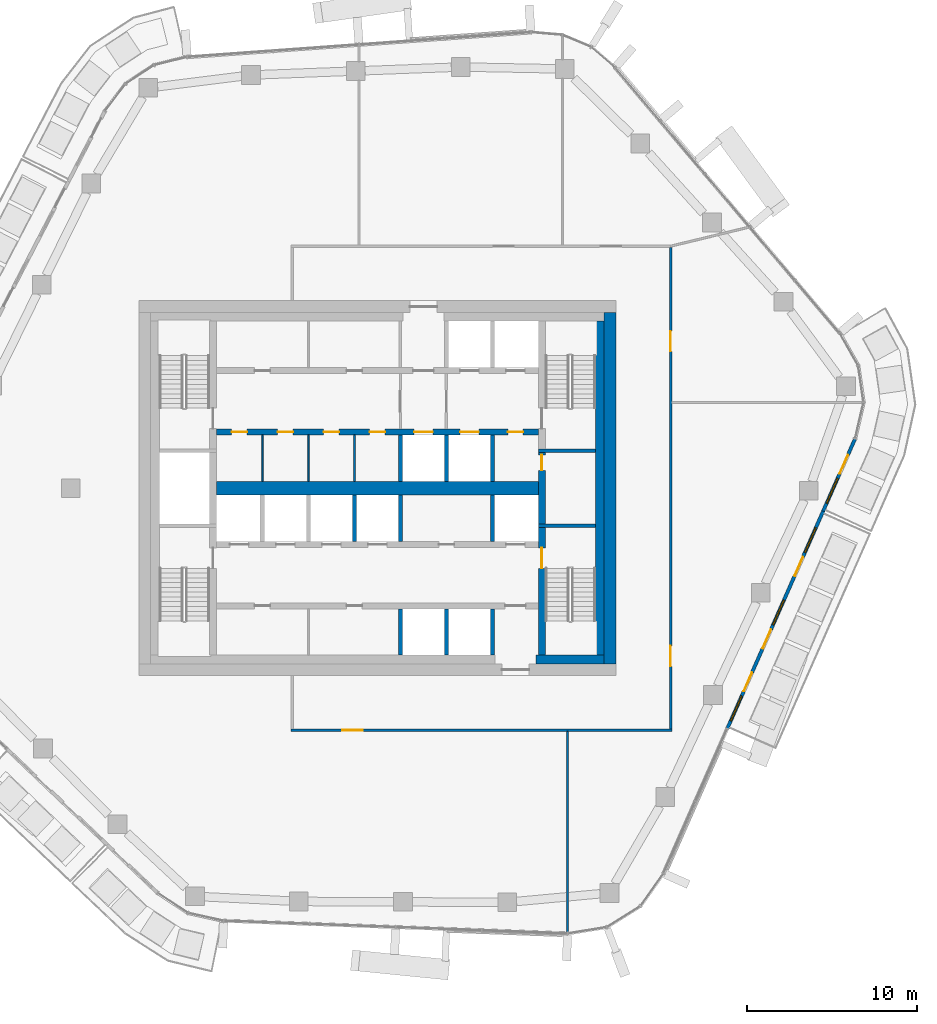
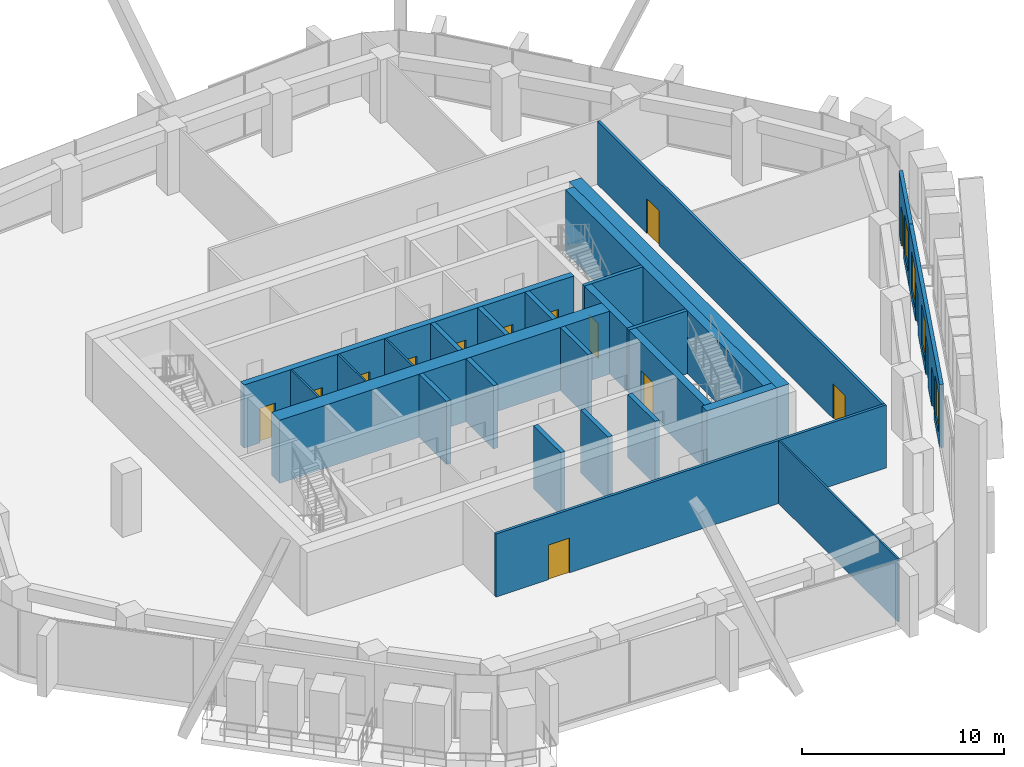
# One storey, part 11 of 20: 26 walls, 16 doors, 4 windows, 20 openings.
"""IFC4 building model written with IfcOpenShell, lengths in metres."""

from ifc_helpers import new_model, si_unit, direction, frame, frame_2d, origin, place, context, subcontext, project, spatial, rectangle, extrude, material, layer, layer_set, type_object, element, fill, save


model = new_model("IFC4")

# Units and contexts
model_context = context("Model", 3, precision=1e-05, world=origin(), true_north=direction((0.0, 1.0)))
body_context = subcontext(model_context, "Body", "Model", "MODEL_VIEW")
ifc_project = project(units=[si_unit("LENGTHUNIT", "METRE"), si_unit("AREAUNIT", "SQUARE_METRE"), si_unit("VOLUMEUNIT", "CUBIC_METRE"), si_unit("PLANEANGLEUNIT", "RADIAN"), si_unit("MASSUNIT", "GRAM", prefix="KILO")], contexts=[model_context])

# Site, building, storey
site_placement = place(None, origin())
site = spatial("IfcSite", under=ifc_project, at=site_placement, CompositionType="ELEMENT")
building_placement = place(site_placement, origin())
building = spatial("IfcBuilding", under=site, at=building_placement, Name="Dongbaek Canopy Tower", CompositionType="ELEMENT")
storey_placement = place(building_placement, frame((0.0, 0.0, 266.39990234375)))
storey = spatial("IfcBuildingStorey", under=building, at=storey_placement, Name="L56", CompositionType="ELEMENT", Elevation=266.39990234375)

# Wall
ifc_material_1 = material(Name="Concrete C60/75", Category="concrete")
ifc_layer_1 = layer(ifc_material_1, 0.800048828125)
ifc_layer_set_1 = layer_set([ifc_layer_1], Name="Core central wall 800 Concrete C60/75")
wall_type_1 = type_object("IfcWallType", Name="Core central wall 800 Concrete C60/75", PredefinedType="SHEAR", material=ifc_layer_set_1)
wall_1_placement = place(storey_placement, frame((-9.449951171875, 0.0, 0.0), z_axis=(0.0, 0.0, 1.0), x_axis=(1.0, 0.0, 0.0)))
element("IfcWall", 1, at=wall_1_placement, inside=storey, type_object=wall_type_1, Name="Core wall", PredefinedType="SHEAR", context=body_context, shape_type="SweptSolid", body=[
    extrude(rectangle(XDim=18.89990234375, YDim=0.800048828125, at=frame_2d((9.449951171875, 0.0))), origin(), (0.0, 0.0, 1.0), 3.820068359375),
])

# Wall, openings, doors
ifc_material_2 = material(Name="Concrete C60/75", Category="concrete")
ifc_layer_2 = layer(ifc_material_2, 0.35009765625)
ifc_layer_set_2 = layer_set([ifc_layer_2], Name="Core lobby wall 350 Concrete C60/75")
wall_type_2 = type_object("IfcWallType", Name="Core lobby wall 350 Concrete C60/75", PredefinedType="SHEAR", material=ifc_layer_set_2)
wall_2_placement = place(storey_placement, frame((9.449951171875, 3.300048828125, 0.0), z_axis=(0.0, 0.0, 1.0), x_axis=(-1.0, 0.0, 0.0)))
wall_2 = element("IfcWall", 2, at=wall_2_placement, inside=storey, type_object=wall_type_2, Name="Core wall", PredefinedType="SHEAR", context=body_context, shape_type="SweptSolid", body=[
    extrude(rectangle(XDim=18.89990234375, YDim=0.35009765625, at=frame_2d((9.449951171875, 0.0))), origin(), (0.0, 0.0, 1.0), 3.820068359375),
])
opening_1_placement = place(wall_2_placement, frame((6.199951171875, 0.0, 0.0)))
opening_1 = element("IfcOpeningElement", 3, at=opening_1_placement, cuts=wall_2, Name="Opening L56-D011", PredefinedType="OPENING", context=body_context, shape_type="SweptSolid", body=[
    extrude(rectangle(XDim=1.10009765625, YDim=2.10009765625, at=frame_2d((0.550048828125, 1.050048828125))), frame((0.0, 0.18505859375, 0.0), z_axis=(0.0, -1.0, 0.0), x_axis=(1.0, 0.0, 0.0)), (0.0, 0.0, 1.0), 0.3701171875),
])
opening_2_placement = place(wall_2_placement, frame((3.5, 0.0, 0.0)))
opening_2 = element("IfcOpeningElement", 4, at=opening_2_placement, cuts=wall_2, Name="Opening L56-D012", PredefinedType="OPENING", context=body_context, shape_type="SweptSolid", body=[
    extrude(rectangle(XDim=1.10009765625, YDim=2.10009765625, at=frame_2d((0.550048828125, 1.050048828125))), frame((0.0, 0.18505859375, 0.0), z_axis=(0.0, -1.0, 0.0), x_axis=(1.0, 0.0, 0.0)), (0.0, 0.0, 1.0), 0.3701171875),
])
opening_3_placement = place(wall_2_placement, frame((0.89990234375, 0.0, 0.0)))
opening_3 = element("IfcOpeningElement", 5, at=opening_3_placement, cuts=wall_2, Name="Opening L56-D013", PredefinedType="OPENING", context=body_context, shape_type="SweptSolid", body=[
    extrude(rectangle(XDim=0.89990234375, YDim=2.10009765625, at=frame_2d((0.449951171875, 1.050048828125))), frame((0.0, 0.18505859375, 0.0), z_axis=(0.0, -1.0, 0.0), x_axis=(1.0, 0.0, 0.0)), (0.0, 0.0, 1.0), 0.3701171875),
])
opening_4_placement = place(wall_2_placement, frame((17.10009765625, 0.0, 0.0)))
opening_4 = element("IfcOpeningElement", 6, at=opening_4_placement, cuts=wall_2, Name="Opening L56-D023", PredefinedType="OPENING", context=body_context, shape_type="SweptSolid", body=[
    extrude(rectangle(XDim=0.89990234375, YDim=2.10009765625, at=frame_2d((0.449951171875, 1.050048828125))), frame((0.0, 0.18505859375, 0.0), z_axis=(0.0, -1.0, 0.0), x_axis=(1.0, 0.0, 0.0)), (0.0, 0.0, 1.0), 0.3701171875),
])
opening_5_placement = place(wall_2_placement, frame((14.39990234375, 0.0, 0.0)))
opening_5 = element("IfcOpeningElement", 7, at=opening_5_placement, cuts=wall_2, Name="Opening L56-D024", PredefinedType="OPENING", context=body_context, shape_type="SweptSolid", body=[
    extrude(rectangle(XDim=0.89990234375, YDim=2.10009765625, at=frame_2d((0.449951171875, 1.050048828125))), frame((0.0, 0.18505859375, 0.0), z_axis=(0.0, -1.0, 0.0), x_axis=(1.0, 0.0, 0.0)), (0.0, 0.0, 1.0), 0.3701171875),
])
opening_6_placement = place(wall_2_placement, frame((11.699951171875, 0.0, 0.0)))
opening_6 = element("IfcOpeningElement", 8, at=opening_6_placement, cuts=wall_2, Name="Opening L56-D025", PredefinedType="OPENING", context=body_context, shape_type="SweptSolid", body=[
    extrude(rectangle(XDim=0.89990234375, YDim=2.10009765625, at=frame_2d((0.449951171875, 1.050048828125))), frame((0.0, 0.18505859375, 0.0), z_axis=(0.0, -1.0, 0.0), x_axis=(1.0, 0.0, 0.0)), (0.0, 0.0, 1.0), 0.3701171875),
])
opening_7_placement = place(wall_2_placement, frame((9.0, 0.0, 0.0)))
opening_7 = element("IfcOpeningElement", 9, at=opening_7_placement, cuts=wall_2, Name="Opening L56-D026", PredefinedType="OPENING", context=body_context, shape_type="SweptSolid", body=[
    extrude(rectangle(XDim=0.89990234375, YDim=2.10009765625, at=frame_2d((0.449951171875, 1.050048828125))), frame((0.0, 0.18505859375, 0.0), z_axis=(0.0, -1.0, 0.0), x_axis=(1.0, 0.0, 0.0)), (0.0, 0.0, 1.0), 0.3701171875),
])
ifc_material_3 = material(Name="Steel", Category="steel")
door_type_1 = type_object("IfcDoorType", Name="Core room door 900 x 2100", OperationType="SINGLE_SWING_LEFT", PredefinedType="DOOR", material=ifc_material_3)
door_1_placement = place(opening_3_placement, origin())
door_1 = element("IfcDoor", 10, at=door_1_placement, inside=storey, type_object=door_type_1, Name="Door L56-D013", OperationType="SINGLE_SWING_LEFT", OverallHeight=2.10009765625, OverallWidth=0.89990234375, PredefinedType="DOOR", context=body_context, shape_type="SweptSolid", body=[
    extrude(rectangle(XDim=0.89990234375, YDim=2.10009765625, at=frame_2d((0.449951171875, 1.050048828125))), frame((0.0, 0.02490234375, 0.0), z_axis=(0.0, -1.0, 0.0), x_axis=(1.0, 0.0, 0.0)), (0.0, 0.0, 1.0), 0.050048828125),
])
fill(opening_3, door_1)
door_2_placement = place(opening_4_placement, origin())
door_2 = element("IfcDoor", 11, at=door_2_placement, inside=storey, type_object=door_type_1, Name="Door L56-D023", OperationType="SINGLE_SWING_RIGHT", OverallHeight=2.10009765625, OverallWidth=0.89990234375, PredefinedType="DOOR", context=body_context, shape_type="SweptSolid", body=[
    extrude(rectangle(XDim=0.89990234375, YDim=2.10009765625, at=frame_2d((0.449951171875, 1.050048828125))), frame((0.0, 0.02490234375, 0.0), z_axis=(0.0, -1.0, 0.0), x_axis=(1.0, 0.0, 0.0)), (0.0, 0.0, 1.0), 0.050048828125),
])
fill(opening_4, door_2)
door_3_placement = place(opening_5_placement, origin())
door_3 = element("IfcDoor", 12, at=door_3_placement, inside=storey, type_object=door_type_1, Name="Door L56-D024", OperationType="SINGLE_SWING_LEFT", OverallHeight=2.10009765625, OverallWidth=0.89990234375, PredefinedType="DOOR", context=body_context, shape_type="SweptSolid", body=[
    extrude(rectangle(XDim=0.89990234375, YDim=2.10009765625, at=frame_2d((0.449951171875, 1.050048828125))), frame((0.0, 0.02490234375, 0.0), z_axis=(0.0, -1.0, 0.0), x_axis=(1.0, 0.0, 0.0)), (0.0, 0.0, 1.0), 0.050048828125),
])
fill(opening_5, door_3)
door_4_placement = place(opening_6_placement, origin())
door_4 = element("IfcDoor", 13, at=door_4_placement, inside=storey, type_object=door_type_1, Name="Door L56-D025", OperationType="SINGLE_SWING_RIGHT", OverallHeight=2.10009765625, OverallWidth=0.89990234375, PredefinedType="DOOR", context=body_context, shape_type="SweptSolid", body=[
    extrude(rectangle(XDim=0.89990234375, YDim=2.10009765625, at=frame_2d((0.449951171875, 1.050048828125))), frame((0.0, 0.02490234375, 0.0), z_axis=(0.0, -1.0, 0.0), x_axis=(1.0, 0.0, 0.0)), (0.0, 0.0, 1.0), 0.050048828125),
])
fill(opening_6, door_4)
door_5_placement = place(opening_7_placement, origin())
door_5 = element("IfcDoor", 14, at=door_5_placement, inside=storey, type_object=door_type_1, Name="Door L56-D026", OperationType="SINGLE_SWING_LEFT", OverallHeight=2.10009765625, OverallWidth=0.89990234375, PredefinedType="DOOR", context=body_context, shape_type="SweptSolid", body=[
    extrude(rectangle(XDim=0.89990234375, YDim=2.10009765625, at=frame_2d((0.449951171875, 1.050048828125))), frame((0.0, 0.02490234375, 0.0), z_axis=(0.0, -1.0, 0.0), x_axis=(1.0, 0.0, 0.0)), (0.0, 0.0, 1.0), 0.050048828125),
])
fill(opening_7, door_5)
ifc_material_4 = material(Name="Stainless steel", Category="steel")
door_type_2 = type_object("IfcDoorType", Name="Lift landing door 1100 x 2100", OperationType="DOUBLE_DOOR_SLIDING", PredefinedType="DOOR", material=ifc_material_4)
door_6_placement = place(opening_1_placement, origin())
door_6 = element("IfcDoor", 15, at=door_6_placement, inside=storey, type_object=door_type_2, Name="Landing door SV1", OperationType="DOUBLE_DOOR_SLIDING", OverallHeight=2.10009765625, OverallWidth=1.10009765625, PredefinedType="DOOR", context=body_context, shape_type="SweptSolid", body=[
    extrude(rectangle(XDim=1.10009765625, YDim=2.10009765625, at=frame_2d((0.550048828125, 1.050048828125))), frame((0.0, 0.02490234375, 0.0), z_axis=(0.0, -1.0, 0.0), x_axis=(1.0, 0.0, 0.0)), (0.0, 0.0, 1.0), 0.050048828125),
])
fill(opening_1, door_6)
door_7_placement = place(opening_2_placement, origin())
door_7 = element("IfcDoor", 16, at=door_7_placement, inside=storey, type_object=door_type_2, Name="Landing door FF3", OperationType="DOUBLE_DOOR_SLIDING", OverallHeight=2.10009765625, OverallWidth=1.10009765625, PredefinedType="DOOR", context=body_context, shape_type="SweptSolid", body=[
    extrude(rectangle(XDim=1.10009765625, YDim=2.10009765625, at=frame_2d((0.550048828125, 1.050048828125))), frame((0.0, 0.02490234375, 0.0), z_axis=(0.0, -1.0, 0.0), x_axis=(1.0, 0.0, 0.0)), (0.0, 0.0, 1.0), 0.050048828125),
])
fill(opening_2, door_7)

# Walls
ifc_material_5 = material(Name="Concrete C70/85", Category="concrete")
ifc_layer_3 = layer(ifc_material_5, 0.699951171875)
ifc_layer_set_3 = layer_set([ifc_layer_3], Name="Core outer wall 700 Concrete C70/85")
wall_type_3 = type_object("IfcWallType", Name="Core outer wall 700 Concrete C70/85", PredefinedType="SHEAR", material=ifc_layer_set_3)
wall_3_placement = place(storey_placement, frame((13.64990234375, 10.300048828125, 0.0), z_axis=(0.0, 0.0, 1.0), x_axis=(0.0, -1.0, 0.0)))
element("IfcWall", 17, at=wall_3_placement, inside=storey, type_object=wall_type_3, Name="Core wall", PredefinedType="SHEAR", context=body_context, shape_type="SweptSolid", body=[
    extrude(rectangle(XDim=20.60009765625, YDim=0.699951171875, at=frame_2d((10.300048828125, 0.0))), origin(), (0.0, 0.0, 1.0), 3.820068359375),
])
ifc_material_6 = material(Name="Concrete C60/75", Category="concrete")
ifc_layer_4 = layer(ifc_material_6, 0.5)
ifc_layer_set_4 = layer_set([ifc_layer_4], Name="Core wall lining 500 Concrete C60/75")
wall_type_4 = type_object("IfcWallType", Name="Core wall lining 500 Concrete C60/75", PredefinedType="SHEAR", material=ifc_layer_set_4)
wall_4_placement = place(storey_placement, frame((13.300048828125, -10.050048828125, 0.0), z_axis=(0.0, 0.0, 1.0), x_axis=(-1.0, 0.0, 0.0)))
element("IfcWall", 18, at=wall_4_placement, inside=storey, type_object=wall_type_4, Name="Core wall lining", PredefinedType="SHEAR", context=body_context, shape_type="SweptSolid", body=[
    extrude(rectangle(XDim=4.0, YDim=0.5, at=frame_2d((2.0, 0.0))), origin(), (0.0, 0.0, 1.0), 3.820068359375),
])
wall_5_placement = place(storey_placement, frame((13.050048828125, 9.800048828125, 0.0), z_axis=(0.0, 0.0, 1.0), x_axis=(0.0, -1.0, 0.0)))
element("IfcWall", 19, at=wall_5_placement, inside=storey, type_object=wall_type_4, Name="Core wall lining", PredefinedType="SHEAR", context=body_context, shape_type="SweptSolid", body=[
    extrude(rectangle(XDim=19.60009765625, YDim=0.5, at=frame_2d((9.800048828125, 0.0))), origin(), (0.0, 0.0, 1.0), 3.820068359375),
])

# Wall, opening, door
ifc_material_7 = material(Name="Gypsum board partition, steel stud, 2 x 15 mm fire board", Category="steel")
ifc_layer_5 = layer(ifc_material_7, 0.14990234375)
ifc_layer_set_5 = layer_set([ifc_layer_5], Name="Fire-rated partition 150 gypsum board")
wall_type_5 = type_object("IfcWallType", Name="Fire-rated partition 150 gypsum board", PredefinedType="PARTITIONING", material=ifc_layer_set_5)
wall_6_placement = place(storey_placement, frame((17.27490234375, -14.199951171875, 0.0), z_axis=(0.0, 0.0, 1.0), x_axis=(-1.0, 0.0, 0.0)))
wall_6 = element("IfcWall", 20, at=wall_6_placement, inside=storey, type_object=wall_type_5, Name="Corridor partition", PredefinedType="PARTITIONING", context=body_context, shape_type="SweptSolid", body=[
    extrude(rectangle(XDim=22.349853515625, YDim=0.14990234375, at=frame_2d((11.1748046875, 0.0))), origin(), (0.0, 0.0, 1.0), 3.820068359375),
])
opening_8_placement = place(wall_6_placement, frame((18.13232421875, 0.0, 0.0)))
opening_8 = element("IfcOpeningElement", 21, at=opening_8_placement, cuts=wall_6, Name="Opening L56-D001", PredefinedType="OPENING", context=body_context, shape_type="SweptSolid", body=[
    extrude(rectangle(XDim=1.199951171875, YDim=2.10009765625, at=frame_2d((0.60009765625, 1.050048828125))), frame((0.0, 0.0849609375, 0.0), z_axis=(0.0, -1.0, 0.0), x_axis=(1.0, 0.0, 0.0)), (0.0, 0.0, 1.0), 0.169921875),
])
ifc_material_8 = material(Name="Timber veneered door leaf", Category="wood")
door_type_3 = type_object("IfcDoorType", Name="Room door 1200 x 2100", OperationType="SINGLE_SWING_LEFT", PredefinedType="DOOR", material=ifc_material_8)
door_8_placement = place(opening_8_placement, origin())
door_8 = element("IfcDoor", 22, at=door_8_placement, inside=storey, type_object=door_type_3, Name="Door L56-D001", OperationType="SINGLE_SWING_RIGHT", OverallHeight=2.10009765625, OverallWidth=1.199951171875, PredefinedType="DOOR", context=body_context, shape_type="SweptSolid", body=[
    extrude(rectangle(XDim=1.199951171875, YDim=2.10009765625, at=frame_2d((0.60009765625, 1.050048828125))), frame((0.0, 0.02490234375, 0.0), z_axis=(0.0, -1.0, 0.0), x_axis=(1.0, 0.0, 0.0)), (0.0, 0.0, 1.0), 0.050048828125),
])
fill(opening_8, door_8)

# Wall, openings, doors
wall_7_placement = place(storey_placement, frame((17.199951171875, 14.125, 0.0), z_axis=(0.0, 0.0, 1.0), x_axis=(0.0, -1.0, 0.0)))
wall_7 = element("IfcWall", 23, at=wall_7_placement, inside=storey, type_object=wall_type_5, Name="Corridor partition", PredefinedType="PARTITIONING", context=body_context, shape_type="SweptSolid", body=[
    extrude(rectangle(XDim=28.25, YDim=0.14990234375, at=frame_2d((14.125, 0.0))), origin(), (0.0, 0.0, 1.0), 3.820068359375),
])
opening_9_placement = place(wall_7_placement, frame((23.378662109375, 0.0, 0.0)))
opening_9 = element("IfcOpeningElement", 24, at=opening_9_placement, cuts=wall_7, Name="Opening L56-D002", PredefinedType="OPENING", context=body_context, shape_type="SweptSolid", body=[
    extrude(rectangle(XDim=1.199951171875, YDim=2.10009765625, at=frame_2d((0.60009765625, 1.050048828125))), frame((0.0, 0.0849609375, 0.0), z_axis=(0.0, -1.0, 0.0), x_axis=(1.0, 0.0, 0.0)), (0.0, 0.0, 1.0), 0.169921875),
])
opening_10_placement = place(wall_7_placement, frame((4.90087890625, 0.0, 0.0)))
opening_10 = element("IfcOpeningElement", 25, at=opening_10_placement, cuts=wall_7, Name="Opening L56-D003", PredefinedType="OPENING", context=body_context, shape_type="SweptSolid", body=[
    extrude(rectangle(XDim=1.199951171875, YDim=2.10009765625, at=frame_2d((0.60009765625, 1.050048828125))), frame((0.0, 0.0849609375, 0.0), z_axis=(0.0, -1.0, 0.0), x_axis=(1.0, 0.0, 0.0)), (0.0, 0.0, 1.0), 0.169921875),
])
door_9_placement = place(opening_9_placement, origin())
door_9 = element("IfcDoor", 26, at=door_9_placement, inside=storey, type_object=door_type_3, Name="Door L56-D002", OperationType="SINGLE_SWING_LEFT", OverallHeight=2.10009765625, OverallWidth=1.199951171875, PredefinedType="DOOR", context=body_context, shape_type="SweptSolid", body=[
    extrude(rectangle(XDim=1.199951171875, YDim=2.10009765625, at=frame_2d((0.60009765625, 1.050048828125))), frame((0.0, 0.02490234375, 0.0), z_axis=(0.0, -1.0, 0.0), x_axis=(1.0, 0.0, 0.0)), (0.0, 0.0, 1.0), 0.050048828125),
])
fill(opening_9, door_9)
door_10_placement = place(opening_10_placement, origin())
door_10 = element("IfcDoor", 27, at=door_10_placement, inside=storey, type_object=door_type_3, Name="Door L56-D003", OperationType="SINGLE_SWING_RIGHT", OverallHeight=2.10009765625, OverallWidth=1.199951171875, PredefinedType="DOOR", context=body_context, shape_type="SweptSolid", body=[
    extrude(rectangle(XDim=1.199951171875, YDim=2.10009765625, at=frame_2d((0.60009765625, 1.050048828125))), frame((0.0, 0.02490234375, 0.0), z_axis=(0.0, -1.0, 0.0), x_axis=(1.0, 0.0, 0.0)), (0.0, 0.0, 1.0), 0.050048828125),
])
fill(opening_10, door_10)

# Walls
ifc_material_9 = material(Name="Concrete C40/50", Category="concrete")
ifc_layer_6 = layer(ifc_material_9, 0.25)
ifc_layer_set_6 = layer_set([ifc_layer_6], Name="Lift shaft wall 250 Concrete C40/50")
wall_type_6 = type_object("IfcWallType", Name="Lift shaft wall 250 Concrete C40/50", PredefinedType="SOLIDWALL", material=ifc_layer_set_6)
for number, where, z_axis, x_axis, name in (
    (28, (6.75, -9.800048828125, 0.0), (0.0, 0.0, 1.0), (0.0, 1.0, 0.0), "Lift shaft wall"),
    (29, (6.75, -3.125, 0.0), (0.0, 0.0, 1.0), (0.0, 1.0, 0.0), "Lift shaft wall"),
    (30, (6.75, 0.39990234375, 0.0), (0.0, 0.0, 1.0), (0.0, 1.0, 0.0), "Lift shaft wall"),
    (31, (4.050048828125, -9.800048828125, 0.0), (0.0, 0.0, 1.0), (0.0, 1.0, 0.0), "Lift shaft wall"),
    (32, (4.050048828125, 0.39990234375, 0.0), (0.0, 0.0, 1.0), (0.0, 1.0, 0.0), "Lift shaft wall"),
    (33, (1.35009765625, -9.800048828125, 0.0), (0.0, 0.0, 1.0), (0.0, 1.0, 0.0), "Lift shaft wall"),
    (34, (1.35009765625, -3.125, 0.0), (0.0, 0.0, 1.0), (0.0, 1.0, 0.0), "Lift shaft wall"),
    (35, (1.35009765625, 0.39990234375, 0.0), (0.0, 0.0, 1.0), (0.0, 1.0, 0.0), "Lift shaft wall"),
    (36, (-1.35009765625, -3.125, 0.0), (0.0, 0.0, 1.0), (0.0, 1.0, 0.0), "Lift shaft wall"),
):
    element("IfcWall", number, at=place(storey_placement, frame(where, z_axis=z_axis, x_axis=x_axis)), inside=storey, type_object=wall_type_6, Name=name, PredefinedType="SOLIDWALL", context=body_context, shape_type="SweptSolid", body=[
        extrude(rectangle(XDim=2.72509765625, YDim=0.25, at=frame_2d((1.362548828125, 0.0))), origin(), (0.0, 0.0, 1.0), 3.820068359375),
    ])
ifc_material_10 = material(Name="Gypsum board partition, steel stud, 2 x 12.5 mm board", Category="steel")
ifc_layer_7 = layer(ifc_material_10, 0.10009765625)
ifc_layer_set_7 = layer_set([ifc_layer_7], Name="Partition 100 gypsum board")
wall_type_7 = type_object("IfcWallType", Name="Partition 100 gypsum board", PredefinedType="PARTITIONING", material=ifc_layer_set_7)
wall_8_placement = place(storey_placement, frame((11.155029296875, -26.109619140625, 0.0), z_axis=(0.0, 0.0, 1.0), x_axis=(0.0, 1.0, 0.0)))
element("IfcWall", 37, at=wall_8_placement, inside=storey, type_object=wall_type_7, Name="Partition", PredefinedType="PARTITIONING", context=body_context, shape_type="SweptSolid", body=[
    extrude(rectangle(XDim=11.834716796875, YDim=0.10009765625, at=frame_2d((5.91748046875, 0.0))), origin(), (0.0, 0.0, 1.0), 3.820068359375),
])
for number, where, z_axis, x_axis, name in (
    (38, (-1.35009765625, 0.39990234375, 0.0), (0.0, 0.0, 1.0), (0.0, 1.0, 0.0), "Core partition"),
    (39, (-4.050048828125, 0.39990234375, 0.0), (0.0, 0.0, 1.0), (0.0, 1.0, 0.0), "Core partition"),
    (40, (-6.75, 0.39990234375, 0.0), (0.0, 0.0, 1.0), (0.0, 1.0, 0.0), "Core partition"),
):
    element("IfcWall", number, at=place(storey_placement, frame(where, z_axis=z_axis, x_axis=x_axis)), inside=storey, type_object=wall_type_7, Name=name, PredefinedType="PARTITIONING", context=body_context, shape_type="SweptSolid", body=[
        extrude(rectangle(XDim=2.72509765625, YDim=0.10009765625, at=frame_2d((1.362548828125, 0.0))), origin(), (0.0, 0.0, 1.0), 3.820068359375),
    ])
ifc_material_11 = material(Name="Concrete C60/75", Category="concrete")
ifc_layer_8 = layer(ifc_material_11, 0.199951171875)
ifc_layer_set_8 = layer_set([ifc_layer_8], Name="Riser wall 200 Concrete C60/75")
wall_type_8 = type_object("IfcWallType", Name="Riser wall 200 Concrete C60/75", PredefinedType="SHEAR", material=ifc_layer_set_8)
for number, where, z_axis, x_axis, name in (
    (41, (9.449951171875, 2.199951171875, 0.0), (0.0, 0.0, 1.0), (1.0, 0.0, 0.0), "Riser wall"),
    (42, (9.449951171875, -2.199951171875, 0.0), (0.0, 0.0, 1.0), (1.0, 0.0, 0.0), "Riser wall"),
):
    element("IfcWall", number, at=place(storey_placement, frame(where, z_axis=z_axis, x_axis=x_axis)), inside=storey, type_object=wall_type_8, Name=name, PredefinedType="SHEAR", context=body_context, shape_type="SweptSolid", body=[
        extrude(rectangle(XDim=3.35009765625, YDim=0.199951171875, at=frame_2d((1.675048828125, 0.0))), origin(), (0.0, 0.0, 1.0), 3.820068359375),
    ])

# Wall, opening, door
ifc_material_12 = material(Name="Concrete C60/75", Category="concrete")
ifc_layer_9 = layer(ifc_material_12, 0.39990234375)
ifc_layer_set_9 = layer_set([ifc_layer_9], Name="Stair wall 400 Concrete C60/75")
wall_type_9 = type_object("IfcWallType", Name="Stair wall 400 Concrete C60/75", PredefinedType="SHEAR", material=ifc_layer_set_9)
wall_9_placement = place(storey_placement, frame((9.64990234375, -2.300048828125, 0.0), z_axis=(0.0, 0.0, 1.0), x_axis=(0.0, -1.0, 0.0)))
wall_9 = element("IfcWall", 43, at=wall_9_placement, inside=storey, type_object=wall_type_9, Name="Stair wall", PredefinedType="SHEAR", context=body_context, shape_type="SweptSolid", body=[
    extrude(rectangle(XDim=7.5, YDim=0.39990234375, at=frame_2d((3.75, 0.0))), origin(), (0.0, 0.0, 1.0), 3.820068359375),
])
opening_11_placement = place(wall_9_placement, frame((1.199951171875, 0.0, 0.0)))
opening_11 = element("IfcOpeningElement", 44, at=opening_11_placement, cuts=wall_9, Name="Opening L56-D032", PredefinedType="OPENING", context=body_context, shape_type="SweptSolid", body=[
    extrude(rectangle(XDim=1.199951171875, YDim=2.10009765625, at=frame_2d((0.60009765625, 1.050048828125))), frame((0.0, 0.2099609375, 0.0), z_axis=(0.0, -1.0, 0.0), x_axis=(1.0, 0.0, 0.0)), (0.0, 0.0, 1.0), 0.419921875),
])
ifc_material_13 = material(Name="Steel", Category="steel")
door_type_4 = type_object("IfcDoorType", Name="Stair door 1200 x 2100", OperationType="SINGLE_SWING_LEFT", PredefinedType="DOOR", material=ifc_material_13)
door_11_placement = place(opening_11_placement, origin())
door_11 = element("IfcDoor", 45, at=door_11_placement, inside=storey, type_object=door_type_4, Name="Stair B door", OperationType="SINGLE_SWING_RIGHT", OverallHeight=2.10009765625, OverallWidth=1.199951171875, PredefinedType="DOOR", context=body_context, shape_type="SweptSolid", body=[
    extrude(rectangle(XDim=1.199951171875, YDim=2.10009765625, at=frame_2d((0.60009765625, 1.050048828125))), frame((0.0, 0.02490234375, 0.0), z_axis=(0.0, -1.0, 0.0), x_axis=(1.0, 0.0, 0.0)), (0.0, 0.0, 1.0), 0.050048828125),
])
fill(opening_11, door_11)

wall_10_placement = place(storey_placement, frame((9.64990234375, 2.10009765625, 0.0), z_axis=(0.0, 0.0, 1.0), x_axis=(0.0, -1.0, 0.0)))
wall_10 = element("IfcWall", 46, at=wall_10_placement, inside=storey, type_object=wall_type_9, Name="Stair wall", PredefinedType="SHEAR", context=body_context, shape_type="SweptSolid", body=[
    extrude(rectangle(XDim=4.2001953125, YDim=0.39990234375, at=frame_2d((2.10009765625, 0.0))), origin(), (0.0, 0.0, 1.0), 3.820068359375),
])
opening_12_placement = place(wall_10_placement, frame((0.14990234375, 0.0, 0.0)))
opening_12 = element("IfcOpeningElement", 47, at=opening_12_placement, cuts=wall_10, Name="Opening L56-D006", PredefinedType="OPENING", context=body_context, shape_type="SweptSolid", body=[
    extrude(rectangle(XDim=0.89990234375, YDim=2.10009765625, at=frame_2d((0.449951171875, 1.050048828125))), frame((0.0, 0.2099609375, 0.0), z_axis=(0.0, -1.0, 0.0), x_axis=(1.0, 0.0, 0.0)), (0.0, 0.0, 1.0), 0.419921875),
])
door_12_placement = place(opening_12_placement, origin())
door_12 = element("IfcDoor", 48, at=door_12_placement, inside=storey, type_object=door_type_1, Name="Door L56-D006", OperationType="SINGLE_SWING_RIGHT", OverallHeight=2.10009765625, OverallWidth=0.89990234375, PredefinedType="DOOR", context=body_context, shape_type="SweptSolid", body=[
    extrude(rectangle(XDim=0.89990234375, YDim=2.10009765625, at=frame_2d((0.449951171875, 1.050048828125))), frame((0.0, 0.02490234375, 0.0), z_axis=(0.0, -1.0, 0.0), x_axis=(1.0, 0.0, 0.0)), (0.0, 0.0, 1.0), 0.050048828125),
])
fill(opening_12, door_12)

# Wall, openings, doors, windows
ifc_material_14 = material(Name="Aluminium window wall", Category="aluminium")
ifc_layer_10 = layer(ifc_material_14, 0.199951171875)
ifc_layer_set_10 = layer_set([ifc_layer_10], Name="Window wall 200")
wall_type_10 = type_object("IfcWallType", Name="Window wall 200", PredefinedType="SOLIDWALL", material=ifc_layer_set_10)
wall_11_placement = place(storey_placement, frame((20.530517578125, -14.107177734375, 0.0), z_axis=(0.0, 0.0, 1.0), x_axis=(0.40328714446, 0.915073482904, 0.0)))
wall_11 = element("IfcWall", 49, at=wall_11_placement, inside=storey, type_object=wall_type_10, Name="Window wall L56 3", PredefinedType="SOLIDWALL", context=body_context, shape_type="SweptSolid", body=[
    extrude(rectangle(XDim=13.9443359375, YDim=0.199951171875, at=frame_2d((6.97216796875, 0.0))), origin(), (0.0, 0.0, 1.0), 3.820068359375),
])
opening_13_placement = place(wall_11_placement, frame((0.5, 0.0, 0.60009765625)))
opening_13 = element("IfcOpeningElement", 50, at=opening_13_placement, cuts=wall_11, Name="Opening W1", PredefinedType="OPENING", context=body_context, shape_type="SweptSolid", body=[
    extrude(rectangle(XDim=1.60009765625, YDim=2.39990234375, at=frame_2d((0.800048828125, 1.199951171875))), frame((0.0, 0.10986328125, 0.0), z_axis=(0.0, -1.0, 0.0), x_axis=(1.0, 0.0, 0.0)), (0.0, 0.0, 1.0), 0.219970703125),
])
opening_14_placement = place(wall_11_placement, frame((2.39990234375, 0.0, 0.0)))
opening_14 = element("IfcOpeningElement", 51, at=opening_14_placement, cuts=wall_11, Name="Opening L56-B08", PredefinedType="OPENING", context=body_context, shape_type="SweptSolid", body=[
    extrude(rectangle(XDim=1.199951171875, YDim=2.39990234375, at=frame_2d((0.60009765625, 1.199951171875))), frame((0.0, 0.10986328125, 0.0), z_axis=(0.0, -1.0, 0.0), x_axis=(1.0, 0.0, 0.0)), (0.0, 0.0, 1.0), 0.219970703125),
])
opening_15_placement = place(wall_11_placement, frame((6.648193359375, 0.0, 0.60009765625)))
opening_15 = element("IfcOpeningElement", 52, at=opening_15_placement, cuts=wall_11, Name="Opening W1", PredefinedType="OPENING", context=body_context, shape_type="SweptSolid", body=[
    extrude(rectangle(XDim=1.60009765625, YDim=2.39990234375, at=frame_2d((0.800048828125, 1.199951171875))), frame((0.0, 0.10986328125, 0.0), z_axis=(0.0, -1.0, 0.0), x_axis=(1.0, 0.0, 0.0)), (0.0, 0.0, 1.0), 0.219970703125),
])
opening_16_placement = place(wall_11_placement, frame((5.148193359375, 0.0, 0.0)))
opening_16 = element("IfcOpeningElement", 53, at=opening_16_placement, cuts=wall_11, Name="Opening L56-B09", PredefinedType="OPENING", context=body_context, shape_type="SweptSolid", body=[
    extrude(rectangle(XDim=1.199951171875, YDim=2.39990234375, at=frame_2d((0.60009765625, 1.199951171875))), frame((0.0, 0.10986328125, 0.0), z_axis=(0.0, -1.0, 0.0), x_axis=(1.0, 0.0, 0.0)), (0.0, 0.0, 1.0), 0.219970703125),
])
opening_17_placement = place(wall_11_placement, frame((11.296142578125, 0.0, 0.60009765625)))
opening_17 = element("IfcOpeningElement", 54, at=opening_17_placement, cuts=wall_11, Name="Opening W1", PredefinedType="OPENING", context=body_context, shape_type="SweptSolid", body=[
    extrude(rectangle(XDim=1.60009765625, YDim=2.39990234375, at=frame_2d((0.800048828125, 1.199951171875))), frame((0.0, 0.10986328125, 0.0), z_axis=(0.0, -1.0, 0.0), x_axis=(1.0, 0.0, 0.0)), (0.0, 0.0, 1.0), 0.219970703125),
])
opening_18_placement = place(wall_11_placement, frame((9.796142578125, 0.0, 0.0)))
opening_18 = element("IfcOpeningElement", 55, at=opening_18_placement, cuts=wall_11, Name="Opening L56-B10", PredefinedType="OPENING", context=body_context, shape_type="SweptSolid", body=[
    extrude(rectangle(XDim=1.199951171875, YDim=2.39990234375, at=frame_2d((0.60009765625, 1.199951171875))), frame((0.0, 0.10986328125, 0.0), z_axis=(0.0, -1.0, 0.0), x_axis=(1.0, 0.0, 0.0)), (0.0, 0.0, 1.0), 0.219970703125),
])
ifc_material_15 = material(Name="Clear glazing in aluminium frame", Category="aluminium")
door_type_5 = type_object("IfcDoorType", Name="Balcony door BD1 1200 x 2400", OperationType="SLIDING_TO_LEFT", PredefinedType="DOOR", material=ifc_material_15)
door_13_placement = place(opening_14_placement, origin())
door_13 = element("IfcDoor", 56, at=door_13_placement, inside=storey, type_object=door_type_5, Name="Balcony door L56-B08", OperationType="SLIDING_TO_LEFT", OverallHeight=2.39990234375, OverallWidth=1.199951171875, PredefinedType="DOOR", context=body_context, shape_type="SweptSolid", body=[
    extrude(rectangle(XDim=1.199951171875, YDim=2.39990234375, at=frame_2d((0.60009765625, 1.199951171875))), frame((0.0, 0.02490234375, 0.0), z_axis=(0.0, -1.0, 0.0), x_axis=(1.0, 0.0, 0.0)), (0.0, 0.0, 1.0), 0.050048828125),
])
fill(opening_14, door_13)
door_14_placement = place(opening_16_placement, origin())
door_14 = element("IfcDoor", 57, at=door_14_placement, inside=storey, type_object=door_type_5, Name="Balcony door L56-B09", OperationType="SLIDING_TO_LEFT", OverallHeight=2.39990234375, OverallWidth=1.199951171875, PredefinedType="DOOR", context=body_context, shape_type="SweptSolid", body=[
    extrude(rectangle(XDim=1.199951171875, YDim=2.39990234375, at=frame_2d((0.60009765625, 1.199951171875))), frame((0.0, 0.02490234375, 0.0), z_axis=(0.0, -1.0, 0.0), x_axis=(1.0, 0.0, 0.0)), (0.0, 0.0, 1.0), 0.050048828125),
])
fill(opening_16, door_14)
door_15_placement = place(opening_18_placement, origin())
door_15 = element("IfcDoor", 58, at=door_15_placement, inside=storey, type_object=door_type_5, Name="Balcony door L56-B10", OperationType="SLIDING_TO_LEFT", OverallHeight=2.39990234375, OverallWidth=1.199951171875, PredefinedType="DOOR", context=body_context, shape_type="SweptSolid", body=[
    extrude(rectangle(XDim=1.199951171875, YDim=2.39990234375, at=frame_2d((0.60009765625, 1.199951171875))), frame((0.0, 0.02490234375, 0.0), z_axis=(0.0, -1.0, 0.0), x_axis=(1.0, 0.0, 0.0)), (0.0, 0.0, 1.0), 0.050048828125),
])
fill(opening_18, door_15)
ifc_material_16 = material(Name="Clear glazing in aluminium frame", Category="aluminium")
window_type = type_object("IfcWindowType", Name="Window W1 1600 x 2400", PartitioningType="SINGLE_PANEL", PredefinedType="WINDOW", material=ifc_material_16)
window_1_placement = place(opening_13_placement, origin())
window_1 = element("IfcWindow", 59, at=window_1_placement, inside=storey, type_object=window_type, Name="Window L56 3.1", OverallHeight=2.39990234375, OverallWidth=1.60009765625, PartitioningType="SINGLE_PANEL", PredefinedType="WINDOW", context=body_context, shape_type="SweptSolid", body=[
    extrude(rectangle(XDim=1.60009765625, YDim=2.39990234375, at=frame_2d((0.800048828125, 1.199951171875))), frame((0.0, 0.030029296875, 0.0), z_axis=(0.0, -1.0, 0.0), x_axis=(1.0, 0.0, 0.0)), (0.0, 0.0, 1.0), 0.06005859375),
])
fill(opening_13, window_1)
window_2_placement = place(opening_15_placement, origin())
window_2 = element("IfcWindow", 60, at=window_2_placement, inside=storey, type_object=window_type, Name="Window L56 3.2", OverallHeight=2.39990234375, OverallWidth=1.60009765625, PartitioningType="SINGLE_PANEL", PredefinedType="WINDOW", context=body_context, shape_type="SweptSolid", body=[
    extrude(rectangle(XDim=1.60009765625, YDim=2.39990234375, at=frame_2d((0.800048828125, 1.199951171875))), frame((0.0, 0.030029296875, 0.0), z_axis=(0.0, -1.0, 0.0), x_axis=(1.0, 0.0, 0.0)), (0.0, 0.0, 1.0), 0.06005859375),
])
fill(opening_15, window_2)
window_3_placement = place(opening_17_placement, origin())
window_3 = element("IfcWindow", 61, at=window_3_placement, inside=storey, type_object=window_type, Name="Window L56 3.3", OverallHeight=2.39990234375, OverallWidth=1.60009765625, PartitioningType="SINGLE_PANEL", PredefinedType="WINDOW", context=body_context, shape_type="SweptSolid", body=[
    extrude(rectangle(XDim=1.60009765625, YDim=2.39990234375, at=frame_2d((0.800048828125, 1.199951171875))), frame((0.0, 0.030029296875, 0.0), z_axis=(0.0, -1.0, 0.0), x_axis=(1.0, 0.0, 0.0)), (0.0, 0.0, 1.0), 0.06005859375),
])
fill(opening_17, window_3)

# Wall, openings, door, window
wall_12_placement = place(storey_placement, frame((26.154052734375, -1.34716796875, 0.0), z_axis=(0.0, 0.0, 1.0), x_axis=(0.403299401998, 0.915068080718, 0.0)))
wall_12 = element("IfcWall", 62, at=wall_12_placement, inside=storey, type_object=wall_type_10, Name="Window wall L56 4", PredefinedType="SOLIDWALL", context=body_context, shape_type="SweptSolid", body=[
    extrude(rectangle(XDim=4.638916015625, YDim=0.199951171875, at=frame_2d((2.3193359375, 0.0))), origin(), (0.0, 0.0, 1.0), 3.820068359375),
])
opening_19_placement = place(wall_12_placement, frame((0.5, 0.0, 0.60009765625)))
opening_19 = element("IfcOpeningElement", 63, at=opening_19_placement, cuts=wall_12, Name="Opening W1", PredefinedType="OPENING", context=body_context, shape_type="SweptSolid", body=[
    extrude(rectangle(XDim=1.60009765625, YDim=2.39990234375, at=frame_2d((0.800048828125, 1.199951171875))), frame((0.0, 0.10986328125, 0.0), z_axis=(0.0, -1.0, 0.0), x_axis=(1.0, 0.0, 0.0)), (0.0, 0.0, 1.0), 0.219970703125),
])
opening_20_placement = place(wall_12_placement, frame((2.39990234375, 0.0, 0.0)))
opening_20 = element("IfcOpeningElement", 64, at=opening_20_placement, cuts=wall_12, Name="Opening L56-B11", PredefinedType="OPENING", context=body_context, shape_type="SweptSolid", body=[
    extrude(rectangle(XDim=1.199951171875, YDim=2.39990234375, at=frame_2d((0.60009765625, 1.199951171875))), frame((0.0, 0.10986328125, 0.0), z_axis=(0.0, -1.0, 0.0), x_axis=(1.0, 0.0, 0.0)), (0.0, 0.0, 1.0), 0.219970703125),
])
door_16_placement = place(opening_20_placement, origin())
door_16 = element("IfcDoor", 65, at=door_16_placement, inside=storey, type_object=door_type_5, Name="Balcony door L56-B11", OperationType="SLIDING_TO_LEFT", OverallHeight=2.39990234375, OverallWidth=1.199951171875, PredefinedType="DOOR", context=body_context, shape_type="SweptSolid", body=[
    extrude(rectangle(XDim=1.199951171875, YDim=2.39990234375, at=frame_2d((0.60009765625, 1.199951171875))), frame((0.0, 0.02490234375, 0.0), z_axis=(0.0, -1.0, 0.0), x_axis=(1.0, 0.0, 0.0)), (0.0, 0.0, 1.0), 0.050048828125),
])
fill(opening_20, door_16)
window_4_placement = place(opening_19_placement, origin())
window_4 = element("IfcWindow", 66, at=window_4_placement, inside=storey, type_object=window_type, Name="Window L56 4.1", OverallHeight=2.39990234375, OverallWidth=1.60009765625, PartitioningType="SINGLE_PANEL", PredefinedType="WINDOW", context=body_context, shape_type="SweptSolid", body=[
    extrude(rectangle(XDim=1.60009765625, YDim=2.39990234375, at=frame_2d((0.800048828125, 1.199951171875))), frame((0.0, 0.030029296875, 0.0), z_axis=(0.0, -1.0, 0.0), x_axis=(1.0, 0.0, 0.0)), (0.0, 0.0, 1.0), 0.06005859375),
])
fill(opening_19, window_4)

save(model, "model.ifc")
